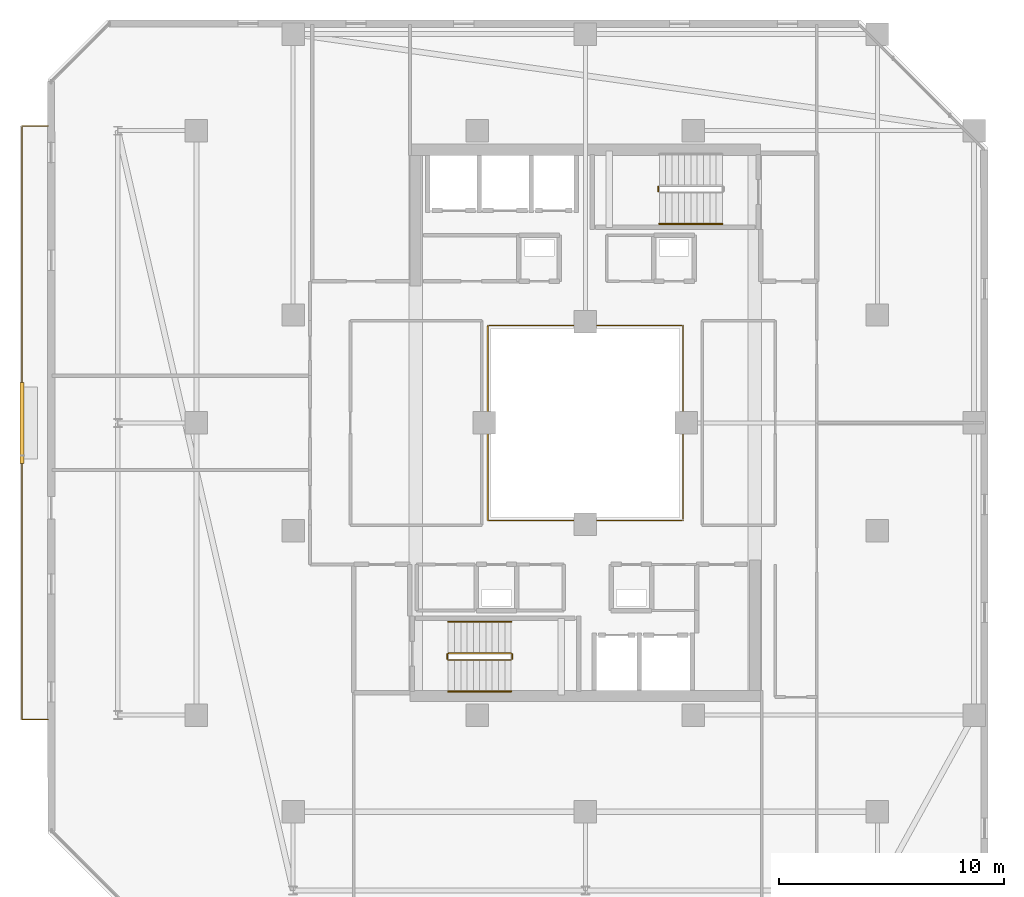
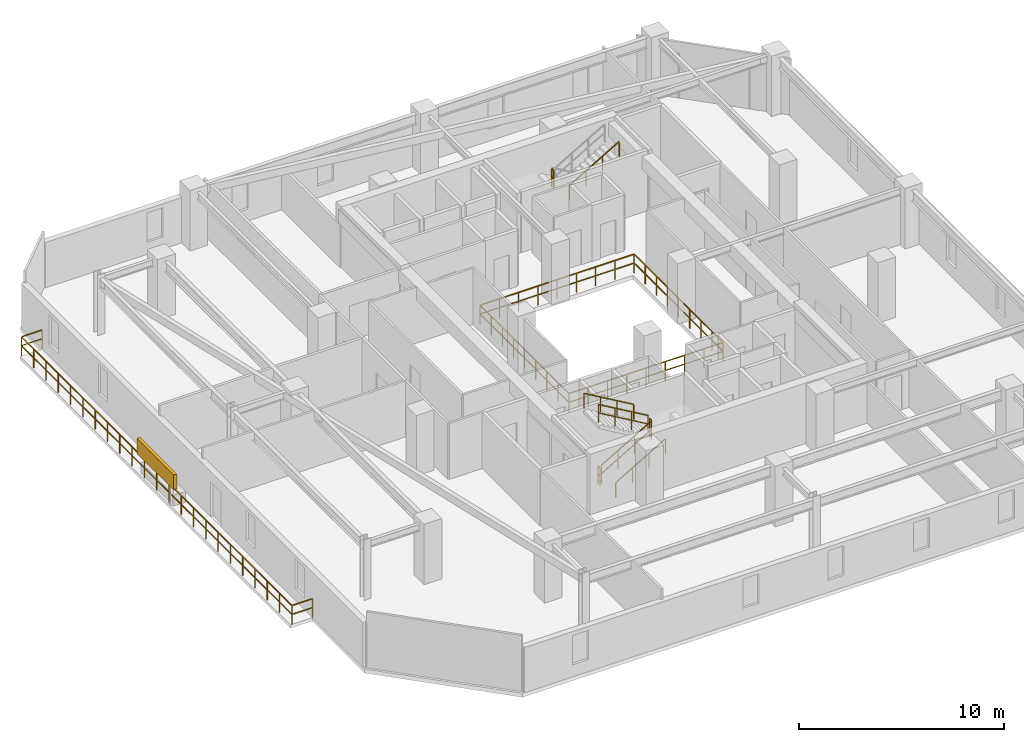
# One storey, part 28 of 31: 10 railings, 1 shading device.
"""IFC4 building model written with IfcOpenShell, lengths in metres."""

from ifc_helpers import new_model, si_unit, direction, frame, origin, origin_2d, place, context, subcontext, project, spatial, rectangle, extrude, material, type_object, element, save


model = new_model("IFC4")

# Units and contexts
model_context = context("Model", 3, precision=1e-05, world=origin(), true_north=direction((0.0, 1.0)))
body_context = subcontext(model_context, "Body", "Model", "MODEL_VIEW")
ifc_project = project(units=[si_unit("LENGTHUNIT", "METRE"), si_unit("AREAUNIT", "SQUARE_METRE"), si_unit("VOLUMEUNIT", "CUBIC_METRE"), si_unit("PLANEANGLEUNIT", "RADIAN"), si_unit("MASSUNIT", "GRAM", prefix="KILO")], contexts=[model_context])

# Site, building, storey
site_placement = place(None, origin())
site = spatial("IfcSite", under=ifc_project, at=site_placement, CompositionType="ELEMENT")
building_placement = place(site_placement, origin())
building = spatial("IfcBuilding", under=site, at=building_placement, Name="Thornwick Lancets Civic Towers", CompositionType="ELEMENT")
storey_placement = place(building_placement, frame((0.0, 0.0, 236.699951171875)))
storey = spatial("IfcBuildingStorey", under=building, at=storey_placement, Name="L63", CompositionType="ELEMENT", Elevation=236.699951171875)

# Railings
ifc_material_1 = material(Name="Laminated glass and bronze steel S355", Category="steel")
railing_type_1 = type_object("IfcRailingType", Name="RAIL_ATRIUM_GUARD", PredefinedType="BALUSTRADE", material=ifc_material_1)
railing_1_placement = place(storey_placement, frame((21.159912109375, 22.659912109375, 0.0)))
element("IfcRailing", 1, at=railing_1_placement, inside=storey, type_object=railing_type_1, Name="L63 Tower A Central Atrium Guard Balustrade", PredefinedType="BALUSTRADE", context=body_context, shape_type="SweptSolid", body=[
    extrude(rectangle(XDim=0.048095703125, YDim=0.048095703125, at=origin_2d()), frame((0.0, 0.0, 1.1259765625), z_axis=(1.0, 0.0, 0.0), x_axis=(0.0, 1.0, 0.0)), (0.0, 0.0, 1.0), 8.64892578125),
    extrude(rectangle(XDim=0.0419921875, YDim=0.0419921875, at=origin_2d()), frame((0.03759765625, 0.0, 0.597900390625), z_axis=(1.0, 0.0, 0.0), x_axis=(0.0, 1.0, 0.0)), (0.0, 0.0, 1.0), 1.010009765625),
    extrude(rectangle(XDim=0.0419921875, YDim=0.0419921875, at=origin_2d()), frame((1.12255859375, 0.0, 0.597900390625), z_axis=(1.0, 0.0, 0.0), x_axis=(0.0, 1.0, 0.0)), (0.0, 0.0, 1.0), 1.010009765625),
    extrude(rectangle(XDim=0.0419921875, YDim=0.0419921875, at=origin_2d()), frame((2.20751953125, 0.0, 0.597900390625), z_axis=(1.0, 0.0, 0.0), x_axis=(0.0, 1.0, 0.0)), (0.0, 0.0, 1.0), 1.010009765625),
    extrude(rectangle(XDim=0.0419921875, YDim=0.0419921875, at=origin_2d()), frame((3.29248046875, 0.0, 0.597900390625), z_axis=(1.0, 0.0, 0.0), x_axis=(0.0, 1.0, 0.0)), (0.0, 0.0, 1.0), 1.010009765625),
    extrude(rectangle(XDim=0.0419921875, YDim=0.0419921875, at=origin_2d()), frame((4.377685546875, 0.0, 0.597900390625), z_axis=(1.0, 0.0, 0.0), x_axis=(0.0, 1.0, 0.0)), (0.0, 0.0, 1.0), 1.010009765625),
    extrude(rectangle(XDim=0.0419921875, YDim=0.0419921875, at=origin_2d()), frame((5.462646484375, 0.0, 0.597900390625), z_axis=(1.0, 0.0, 0.0), x_axis=(0.0, 1.0, 0.0)), (0.0, 0.0, 1.0), 1.010009765625),
    extrude(rectangle(XDim=0.0419921875, YDim=0.0419921875, at=origin_2d()), frame((6.547607421875, 0.0, 0.597900390625), z_axis=(1.0, 0.0, 0.0), x_axis=(0.0, 1.0, 0.0)), (0.0, 0.0, 1.0), 1.010009765625),
    extrude(rectangle(XDim=0.0419921875, YDim=0.0419921875, at=origin_2d()), frame((7.632568359375, 0.0, 0.597900390625), z_axis=(1.0, 0.0, 0.0), x_axis=(0.0, 1.0, 0.0)), (0.0, 0.0, 1.0), 1.010009765625),
    extrude(rectangle(XDim=0.048095703125, YDim=0.048095703125, at=origin_2d()), frame((8.68017578125, 0.03125, 1.1259765625), z_axis=(0.0, 1.0, 0.0), x_axis=(-1.0, 0.0, 0.0)), (0.0, 0.0, 1.0), 8.61767578125),
    extrude(rectangle(XDim=0.0419921875, YDim=0.0419921875, at=origin_2d()), frame((8.68017578125, 0.03759765625, 0.597900390625), z_axis=(0.0, 1.0, 0.0), x_axis=(-1.0, 0.0, 0.0)), (0.0, 0.0, 1.0), 1.010009765625),
    extrude(rectangle(XDim=0.0419921875, YDim=0.0419921875, at=origin_2d()), frame((8.68017578125, 1.12255859375, 0.597900390625), z_axis=(0.0, 1.0, 0.0), x_axis=(-1.0, 0.0, 0.0)), (0.0, 0.0, 1.0), 1.010009765625),
    extrude(rectangle(XDim=0.0419921875, YDim=0.0419921875, at=origin_2d()), frame((8.68017578125, 2.20751953125, 0.597900390625), z_axis=(0.0, 1.0, 0.0), x_axis=(-1.0, 0.0, 0.0)), (0.0, 0.0, 1.0), 1.010009765625),
    extrude(rectangle(XDim=0.0419921875, YDim=0.0419921875, at=origin_2d()), frame((8.68017578125, 3.29248046875, 0.597900390625), z_axis=(0.0, 1.0, 0.0), x_axis=(-1.0, 0.0, 0.0)), (0.0, 0.0, 1.0), 1.010009765625),
    extrude(rectangle(XDim=0.0419921875, YDim=0.0419921875, at=origin_2d()), frame((8.68017578125, 4.377685546875, 0.597900390625), z_axis=(0.0, 1.0, 0.0), x_axis=(-1.0, 0.0, 0.0)), (0.0, 0.0, 1.0), 1.010009765625),
    extrude(rectangle(XDim=0.0419921875, YDim=0.0419921875, at=origin_2d()), frame((8.68017578125, 5.462646484375, 0.597900390625), z_axis=(0.0, 1.0, 0.0), x_axis=(-1.0, 0.0, 0.0)), (0.0, 0.0, 1.0), 1.010009765625),
    extrude(rectangle(XDim=0.0419921875, YDim=0.0419921875, at=origin_2d()), frame((8.68017578125, 6.547607421875, 0.597900390625), z_axis=(0.0, 1.0, 0.0), x_axis=(-1.0, 0.0, 0.0)), (0.0, 0.0, 1.0), 1.010009765625),
    extrude(rectangle(XDim=0.0419921875, YDim=0.0419921875, at=origin_2d()), frame((8.68017578125, 7.632568359375, 0.597900390625), z_axis=(0.0, 1.0, 0.0), x_axis=(-1.0, 0.0, 0.0)), (0.0, 0.0, 1.0), 1.010009765625),
    extrude(rectangle(XDim=0.048095703125, YDim=0.048095703125, at=origin_2d()), frame((8.64892578125, 8.68017578125, 1.1259765625), z_axis=(-1.0, 0.0, 0.0), x_axis=(0.0, -1.0, 0.0)), (0.0, 0.0, 1.0), 8.61767578125),
    extrude(rectangle(XDim=0.0419921875, YDim=0.0419921875, at=origin_2d()), frame((8.642578125, 8.68017578125, 0.597900390625), z_axis=(-1.0, 0.0, 0.0), x_axis=(0.0, -1.0, 0.0)), (0.0, 0.0, 1.0), 1.010009765625),
    extrude(rectangle(XDim=0.0419921875, YDim=0.0419921875, at=origin_2d()), frame((7.5576171875, 8.68017578125, 0.597900390625), z_axis=(-1.0, 0.0, 0.0), x_axis=(0.0, -1.0, 0.0)), (0.0, 0.0, 1.0), 1.010009765625),
    extrude(rectangle(XDim=0.0419921875, YDim=0.0419921875, at=origin_2d()), frame((6.47265625, 8.68017578125, 0.597900390625), z_axis=(-1.0, 0.0, 0.0), x_axis=(0.0, -1.0, 0.0)), (0.0, 0.0, 1.0), 1.010009765625),
    extrude(rectangle(XDim=0.0419921875, YDim=0.0419921875, at=origin_2d()), frame((5.3876953125, 8.68017578125, 0.597900390625), z_axis=(-1.0, 0.0, 0.0), x_axis=(0.0, -1.0, 0.0)), (0.0, 0.0, 1.0), 1.010009765625),
    extrude(rectangle(XDim=0.0419921875, YDim=0.0419921875, at=origin_2d()), frame((4.302490234375, 8.68017578125, 0.597900390625), z_axis=(-1.0, 0.0, 0.0), x_axis=(0.0, -1.0, 0.0)), (0.0, 0.0, 1.0), 1.010009765625),
    extrude(rectangle(XDim=0.0419921875, YDim=0.0419921875, at=origin_2d()), frame((3.217529296875, 8.68017578125, 0.597900390625), z_axis=(-1.0, 0.0, 0.0), x_axis=(0.0, -1.0, 0.0)), (0.0, 0.0, 1.0), 1.010009765625),
    extrude(rectangle(XDim=0.0419921875, YDim=0.0419921875, at=origin_2d()), frame((2.132568359375, 8.68017578125, 0.597900390625), z_axis=(-1.0, 0.0, 0.0), x_axis=(0.0, -1.0, 0.0)), (0.0, 0.0, 1.0), 1.010009765625),
    extrude(rectangle(XDim=0.0419921875, YDim=0.0419921875, at=origin_2d()), frame((1.047607421875, 8.68017578125, 0.597900390625), z_axis=(-1.0, 0.0, 0.0), x_axis=(0.0, -1.0, 0.0)), (0.0, 0.0, 1.0), 1.010009765625),
    extrude(rectangle(XDim=0.048095703125, YDim=0.048095703125, at=origin_2d()), frame((0.0, 8.64892578125, 1.1259765625), z_axis=(0.0, -1.0, 0.0), x_axis=(1.0, 0.0, 0.0)), (0.0, 0.0, 1.0), 8.64892578125),
    extrude(rectangle(XDim=0.0419921875, YDim=0.0419921875, at=origin_2d()), frame((0.0, 8.642578125, 0.597900390625), z_axis=(0.0, -1.0, 0.0), x_axis=(1.0, 0.0, 0.0)), (0.0, 0.0, 1.0), 1.010009765625),
    extrude(rectangle(XDim=0.0419921875, YDim=0.0419921875, at=origin_2d()), frame((0.0, 7.5576171875, 0.597900390625), z_axis=(0.0, -1.0, 0.0), x_axis=(1.0, 0.0, 0.0)), (0.0, 0.0, 1.0), 1.010009765625),
    extrude(rectangle(XDim=0.0419921875, YDim=0.0419921875, at=origin_2d()), frame((0.0, 6.47265625, 0.597900390625), z_axis=(0.0, -1.0, 0.0), x_axis=(1.0, 0.0, 0.0)), (0.0, 0.0, 1.0), 1.010009765625),
    extrude(rectangle(XDim=0.0419921875, YDim=0.0419921875, at=origin_2d()), frame((0.0, 5.3876953125, 0.597900390625), z_axis=(0.0, -1.0, 0.0), x_axis=(1.0, 0.0, 0.0)), (0.0, 0.0, 1.0), 1.010009765625),
    extrude(rectangle(XDim=0.0419921875, YDim=0.0419921875, at=origin_2d()), frame((0.0, 4.302490234375, 0.597900390625), z_axis=(0.0, -1.0, 0.0), x_axis=(1.0, 0.0, 0.0)), (0.0, 0.0, 1.0), 1.010009765625),
    extrude(rectangle(XDim=0.0419921875, YDim=0.0419921875, at=origin_2d()), frame((0.0, 3.217529296875, 0.597900390625), z_axis=(0.0, -1.0, 0.0), x_axis=(1.0, 0.0, 0.0)), (0.0, 0.0, 1.0), 1.010009765625),
    extrude(rectangle(XDim=0.0419921875, YDim=0.0419921875, at=origin_2d()), frame((0.0, 2.132568359375, 0.597900390625), z_axis=(0.0, -1.0, 0.0), x_axis=(1.0, 0.0, 0.0)), (0.0, 0.0, 1.0), 1.010009765625),
    extrude(rectangle(XDim=0.0419921875, YDim=0.0419921875, at=origin_2d()), frame((0.0, 1.047607421875, 0.597900390625), z_axis=(0.0, -1.0, 0.0), x_axis=(1.0, 0.0, 0.0)), (0.0, 0.0, 1.0), 1.010009765625),
    extrude(rectangle(XDim=0.0419921875, YDim=0.0419921875, at=origin_2d()), origin(), (0.0, 0.0, 1.0), 1.095703125),
    extrude(rectangle(XDim=0.0419921875, YDim=0.0419921875, at=origin_2d()), frame((1.0849609375, 0.0, 0.0)), (0.0, 0.0, 1.0), 1.095703125),
    extrude(rectangle(XDim=0.0419921875, YDim=0.0419921875, at=origin_2d()), frame((2.169921875, 0.0, 0.0)), (0.0, 0.0, 1.0), 1.095703125),
    extrude(rectangle(XDim=0.0419921875, YDim=0.0419921875, at=origin_2d()), frame((3.255126953125, 0.0, 0.0)), (0.0, 0.0, 1.0), 1.095703125),
    extrude(rectangle(XDim=0.0419921875, YDim=0.0419921875, at=origin_2d()), frame((4.340087890625, 0.0, 0.0)), (0.0, 0.0, 1.0), 1.095703125),
    extrude(rectangle(XDim=0.0419921875, YDim=0.0419921875, at=origin_2d()), frame((5.425048828125, 0.0, 0.0)), (0.0, 0.0, 1.0), 1.095703125),
    extrude(rectangle(XDim=0.0419921875, YDim=0.0419921875, at=origin_2d()), frame((6.51025390625, 0.0, 0.0)), (0.0, 0.0, 1.0), 1.095703125),
    extrude(rectangle(XDim=0.0419921875, YDim=0.0419921875, at=origin_2d()), frame((7.59521484375, 0.0, 0.0)), (0.0, 0.0, 1.0), 1.095703125),
    extrude(rectangle(XDim=0.0419921875, YDim=0.0419921875, at=origin_2d()), frame((8.68017578125, 0.0, 0.0)), (0.0, 0.0, 1.0), 1.095703125),
    extrude(rectangle(XDim=0.0419921875, YDim=0.0419921875, at=origin_2d()), frame((8.68017578125, 1.0849609375, 0.0)), (0.0, 0.0, 1.0), 1.095703125),
    extrude(rectangle(XDim=0.0419921875, YDim=0.0419921875, at=origin_2d()), frame((8.68017578125, 2.169921875, 0.0)), (0.0, 0.0, 1.0), 1.095703125),
    extrude(rectangle(XDim=0.0419921875, YDim=0.0419921875, at=origin_2d()), frame((8.68017578125, 3.255126953125, 0.0)), (0.0, 0.0, 1.0), 1.095703125),
    extrude(rectangle(XDim=0.0419921875, YDim=0.0419921875, at=origin_2d()), frame((8.68017578125, 4.340087890625, 0.0)), (0.0, 0.0, 1.0), 1.095703125),
    extrude(rectangle(XDim=0.0419921875, YDim=0.0419921875, at=origin_2d()), frame((8.68017578125, 5.425048828125, 0.0)), (0.0, 0.0, 1.0), 1.095703125),
    extrude(rectangle(XDim=0.0419921875, YDim=0.0419921875, at=origin_2d()), frame((8.68017578125, 6.51025390625, 0.0)), (0.0, 0.0, 1.0), 1.095703125),
    extrude(rectangle(XDim=0.0419921875, YDim=0.0419921875, at=origin_2d()), frame((8.68017578125, 7.59521484375, 0.0)), (0.0, 0.0, 1.0), 1.095703125),
    extrude(rectangle(XDim=0.0419921875, YDim=0.0419921875, at=origin_2d()), frame((8.68017578125, 8.68017578125, 0.0)), (0.0, 0.0, 1.0), 1.095703125),
    extrude(rectangle(XDim=0.0419921875, YDim=0.0419921875, at=origin_2d()), frame((7.59521484375, 8.68017578125, 0.0)), (0.0, 0.0, 1.0), 1.095703125),
    extrude(rectangle(XDim=0.0419921875, YDim=0.0419921875, at=origin_2d()), frame((6.51025390625, 8.68017578125, 0.0)), (0.0, 0.0, 1.0), 1.095703125),
    extrude(rectangle(XDim=0.0419921875, YDim=0.0419921875, at=origin_2d()), frame((5.425048828125, 8.68017578125, 0.0)), (0.0, 0.0, 1.0), 1.095703125),
    extrude(rectangle(XDim=0.0419921875, YDim=0.0419921875, at=origin_2d()), frame((4.340087890625, 8.68017578125, 0.0)), (0.0, 0.0, 1.0), 1.095703125),
    extrude(rectangle(XDim=0.0419921875, YDim=0.0419921875, at=origin_2d()), frame((3.255126953125, 8.68017578125, 0.0)), (0.0, 0.0, 1.0), 1.095703125),
    extrude(rectangle(XDim=0.0419921875, YDim=0.0419921875, at=origin_2d()), frame((2.169921875, 8.68017578125, 0.0)), (0.0, 0.0, 1.0), 1.095703125),
    extrude(rectangle(XDim=0.0419921875, YDim=0.0419921875, at=origin_2d()), frame((1.0849609375, 8.68017578125, 0.0)), (0.0, 0.0, 1.0), 1.095703125),
    extrude(rectangle(XDim=0.0419921875, YDim=0.0419921875, at=origin_2d()), frame((0.0, 8.68017578125, 0.0)), (0.0, 0.0, 1.0), 1.095703125),
    extrude(rectangle(XDim=0.0419921875, YDim=0.0419921875, at=origin_2d()), frame((0.0, 7.59521484375, 0.0)), (0.0, 0.0, 1.0), 1.095703125),
    extrude(rectangle(XDim=0.0419921875, YDim=0.0419921875, at=origin_2d()), frame((0.0, 6.51025390625, 0.0)), (0.0, 0.0, 1.0), 1.095703125),
    extrude(rectangle(XDim=0.0419921875, YDim=0.0419921875, at=origin_2d()), frame((0.0, 5.425048828125, 0.0)), (0.0, 0.0, 1.0), 1.095703125),
    extrude(rectangle(XDim=0.0419921875, YDim=0.0419921875, at=origin_2d()), frame((0.0, 4.340087890625, 0.0)), (0.0, 0.0, 1.0), 1.095703125),
    extrude(rectangle(XDim=0.0419921875, YDim=0.0419921875, at=origin_2d()), frame((0.0, 3.255126953125, 0.0)), (0.0, 0.0, 1.0), 1.095703125),
    extrude(rectangle(XDim=0.0419921875, YDim=0.0419921875, at=origin_2d()), frame((0.0, 2.169921875, 0.0)), (0.0, 0.0, 1.0), 1.095703125),
    extrude(rectangle(XDim=0.0419921875, YDim=0.0419921875, at=origin_2d()), frame((0.0, 1.0849609375, 0.0)), (0.0, 0.0, 1.0), 1.095703125),
])
ifc_material_2 = material(Name="Brushed stainless steel S355", Category="steel")
railing_type_2 = type_object("IfcRailingType", Name="RAIL_HANDRAIL", PredefinedType="HANDRAIL", material=ifc_material_2)
railing_2_placement = place(storey_placement, frame((19.39990234375, 15.050048828125, 0.16357421875)))
element("IfcRailing", 2, at=railing_2_placement, inside=storey, type_object=railing_type_2, Name="L63 ST-A1 stair handrail 1", PredefinedType="HANDRAIL", context=body_context, shape_type="SweptSolid", body=[
    extrude(rectangle(XDim=0.048095703125, YDim=0.048095703125, at=origin_2d()), frame((0.0, 0.0, 0.8857421875), z_axis=(0.863360870873, 0.0, 0.504586966384), x_axis=(0.0, 1.0, 0.0)), (0.0, 0.0, 1.0), 3.2431640625),
    extrude(rectangle(XDim=0.0419921875, YDim=0.0419921875, at=origin_2d()), origin(), (0.0, 0.0, 1.0), 0.855712890625),
    extrude(rectangle(XDim=0.0419921875, YDim=0.0419921875, at=origin_2d()), frame((0.933349609375, 0.0, 0.54541015625)), (0.0, 0.0, 1.0), 0.855712890625),
    extrude(rectangle(XDim=0.0419921875, YDim=0.0419921875, at=origin_2d()), frame((1.86669921875, 0.0, 1.091064453125)), (0.0, 0.0, 1.0), 0.855712890625),
    extrude(rectangle(XDim=0.0419921875, YDim=0.0419921875, at=origin_2d()), frame((2.800048828125, 0.0, 1.636474609375)), (0.0, 0.0, 1.0), 0.855712890625),
])
railing_3_placement = place(storey_placement, frame((22.199951171875, 18.14990234375, 1.963623046875)))
element("IfcRailing", 3, at=railing_3_placement, inside=storey, type_object=railing_type_2, Name="L63 ST-A1 stair handrail 2", PredefinedType="HANDRAIL", context=body_context, shape_type="SweptSolid", body=[
    extrude(rectangle(XDim=0.048095703125, YDim=0.048095703125, at=origin_2d()), frame((0.0, 0.0, 0.8857421875), z_axis=(-0.863360870873, 0.0, 0.504586966384), x_axis=(0.0, -1.0, 0.0)), (0.0, 0.0, 1.0), 3.2431640625),
    extrude(rectangle(XDim=0.0419921875, YDim=0.0419921875, at=origin_2d()), origin(), (0.0, 0.0, 1.0), 0.855712890625),
    extrude(rectangle(XDim=0.0419921875, YDim=0.0419921875, at=origin_2d()), frame((-0.933349609375, 0.0, 0.54541015625)), (0.0, 0.0, 1.0), 0.855712890625),
    extrude(rectangle(XDim=0.0419921875, YDim=0.0419921875, at=origin_2d()), frame((-1.86669921875, 0.0, 1.091064453125)), (0.0, 0.0, 1.0), 0.855712890625),
    extrude(rectangle(XDim=0.0419921875, YDim=0.0419921875, at=origin_2d()), frame((-2.800048828125, 0.0, 1.636474609375)), (0.0, 0.0, 1.0), 0.855712890625),
])
railing_4_placement = place(storey_placement, frame((28.800048828125, 35.85009765625, 1.963623046875)))
element("IfcRailing", 4, at=railing_4_placement, inside=storey, type_object=railing_type_2, Name="L63 ST-A2 stair handrail 2", PredefinedType="HANDRAIL", context=body_context, shape_type="SweptSolid", body=[
    extrude(rectangle(XDim=0.048095703125, YDim=0.048095703125, at=origin_2d()), frame((0.0, 0.0, 0.8857421875), z_axis=(0.863360870873, 0.0, 0.504586966384), x_axis=(0.0, 1.0, 0.0)), (0.0, 0.0, 1.0), 3.2431640625),
    extrude(rectangle(XDim=0.0419921875, YDim=0.0419921875, at=origin_2d()), origin(), (0.0, 0.0, 1.0), 0.855712890625),
    extrude(rectangle(XDim=0.0419921875, YDim=0.0419921875, at=origin_2d()), frame((0.933349609375, 0.0, 0.54541015625)), (0.0, 0.0, 1.0), 0.855712890625),
    extrude(rectangle(XDim=0.0419921875, YDim=0.0419921875, at=origin_2d()), frame((1.86669921875, 0.0, 1.091064453125)), (0.0, 0.0, 1.0), 0.855712890625),
    extrude(rectangle(XDim=0.0419921875, YDim=0.0419921875, at=origin_2d()), frame((2.800048828125, 0.0, 1.636474609375)), (0.0, 0.0, 1.0), 0.855712890625),
])
ifc_material_3 = material(Name="Steel S355JR", Category="steel")
railing_type_3 = type_object("IfcRailingType", Name="RAIL_STAIR_GUARD", PredefinedType="GUARDRAIL", material=ifc_material_3)
railing_5_placement = place(storey_placement, frame((19.39990234375, 16.449951171875, 0.16357421875)))
element("IfcRailing", 5, at=railing_5_placement, inside=storey, type_object=railing_type_3, Name="L63 ST-A1 stair guard 1", PredefinedType="GUARDRAIL", context=body_context, shape_type="SweptSolid", body=[
    extrude(rectangle(XDim=0.048095703125, YDim=0.048095703125, at=origin_2d()), frame((0.0, 0.0, 1.076171875), z_axis=(0.863360870873, 0.0, 0.504586966384), x_axis=(0.0, 1.0, 0.0)), (0.0, 0.0, 1.0), 3.2431640625),
    extrude(rectangle(XDim=0.0419921875, YDim=0.0419921875, at=origin_2d()), frame((0.032470703125, 0.0, 0.591064453125), z_axis=(0.863360870873, 0.0, 0.504586966384), x_axis=(0.0, 1.0, 0.0)), (0.0, 0.0, 1.0), 1.006103515625),
    extrude(rectangle(XDim=0.0419921875, YDim=0.0419921875, at=origin_2d()), frame((0.9658203125, 0.0, 1.136474609375), z_axis=(0.863360870873, 0.0, 0.504586966384), x_axis=(0.0, 1.0, 0.0)), (0.0, 0.0, 1.0), 1.006103515625),
    extrude(rectangle(XDim=0.0419921875, YDim=0.0419921875, at=origin_2d()), frame((1.899169921875, 0.0, 1.681884765625), z_axis=(0.863360870873, 0.0, 0.504586966384), x_axis=(0.0, 1.0, 0.0)), (0.0, 0.0, 1.0), 1.006103515625),
    extrude(rectangle(XDim=0.0419921875, YDim=0.0419921875, at=origin_2d()), origin(), (0.0, 0.0, 1.0), 1.0458984375),
    extrude(rectangle(XDim=0.0419921875, YDim=0.0419921875, at=origin_2d()), frame((0.933349609375, 0.0, 0.54541015625)), (0.0, 0.0, 1.0), 1.0458984375),
    extrude(rectangle(XDim=0.0419921875, YDim=0.0419921875, at=origin_2d()), frame((1.86669921875, 0.0, 1.091064453125)), (0.0, 0.0, 1.0), 1.0458984375),
    extrude(rectangle(XDim=0.0419921875, YDim=0.0419921875, at=origin_2d()), frame((2.800048828125, 0.0, 1.636474609375)), (0.0, 0.0, 1.0), 1.0458984375),
])
railing_6_placement = place(storey_placement, frame((22.25, 16.5, 1.800048828125)))
element("IfcRailing", 6, at=railing_6_placement, inside=storey, type_object=railing_type_3, Name="L63 ST-A1 stair guard 2", PredefinedType="GUARDRAIL", context=body_context, shape_type="SweptSolid", body=[
    extrude(rectangle(XDim=0.048095703125, YDim=0.048095703125, at=origin_2d()), frame((0.0, 0.0, 1.076171875), z_axis=(0.0, 1.0, 0.0), x_axis=(-1.0, 0.0, 0.0)), (0.0, 0.0, 1.0), 0.199951171875),
    extrude(rectangle(XDim=0.0419921875, YDim=0.0419921875, at=origin_2d()), frame((0.0, 0.03759765625, 0.572021484375), z_axis=(0.0, 1.0, 0.0), x_axis=(-1.0, 0.0, 0.0)), (0.0, 0.0, 1.0), 0.125),
    extrude(rectangle(XDim=0.0419921875, YDim=0.0419921875, at=origin_2d()), origin(), (0.0, 0.0, 1.0), 1.0458984375),
    extrude(rectangle(XDim=0.0419921875, YDim=0.0419921875, at=origin_2d()), frame((0.0, 0.199951171875, 0.0)), (0.0, 0.0, 1.0), 1.0458984375),
])
railing_7_placement = place(storey_placement, frame((22.199951171875, 16.75, 1.963623046875)))
element("IfcRailing", 7, at=railing_7_placement, inside=storey, type_object=railing_type_3, Name="L63 ST-A1 stair guard 3", PredefinedType="GUARDRAIL", context=body_context, shape_type="SweptSolid", body=[
    extrude(rectangle(XDim=0.048095703125, YDim=0.048095703125, at=origin_2d()), frame((0.0, 0.0, 1.076171875), z_axis=(-0.863360870873, 0.0, 0.504586966384), x_axis=(0.0, -1.0, 0.0)), (0.0, 0.0, 1.0), 3.2431640625),
    extrude(rectangle(XDim=0.0419921875, YDim=0.0419921875, at=origin_2d()), frame((-0.032470703125, 0.0, 0.591064453125), z_axis=(-0.863360870873, 0.0, 0.504586966384), x_axis=(0.0, -1.0, 0.0)), (0.0, 0.0, 1.0), 1.006103515625),
    extrude(rectangle(XDim=0.0419921875, YDim=0.0419921875, at=origin_2d()), frame((-0.9658203125, 0.0, 1.136474609375), z_axis=(-0.863360870873, 0.0, 0.504586966384), x_axis=(0.0, -1.0, 0.0)), (0.0, 0.0, 1.0), 1.006103515625),
    extrude(rectangle(XDim=0.0419921875, YDim=0.0419921875, at=origin_2d()), frame((-1.899169921875, 0.0, 1.681884765625), z_axis=(-0.863360870873, 0.0, 0.504586966384), x_axis=(0.0, -1.0, 0.0)), (0.0, 0.0, 1.0), 1.006103515625),
    extrude(rectangle(XDim=0.0419921875, YDim=0.0419921875, at=origin_2d()), origin(), (0.0, 0.0, 1.0), 1.0458984375),
    extrude(rectangle(XDim=0.0419921875, YDim=0.0419921875, at=origin_2d()), frame((-0.933349609375, 0.0, 0.54541015625)), (0.0, 0.0, 1.0), 1.0458984375),
    extrude(rectangle(XDim=0.0419921875, YDim=0.0419921875, at=origin_2d()), frame((-1.86669921875, 0.0, 1.091064453125)), (0.0, 0.0, 1.0), 1.0458984375),
    extrude(rectangle(XDim=0.0419921875, YDim=0.0419921875, at=origin_2d()), frame((-2.800048828125, 0.0, 1.636474609375)), (0.0, 0.0, 1.0), 1.0458984375),
])
railing_8_placement = place(storey_placement, frame((19.35009765625, 16.5, 0.0)))
element("IfcRailing", 8, at=railing_8_placement, inside=storey, type_object=railing_type_3, Name="L63 ST-A1 stair guard 4", PredefinedType="GUARDRAIL", context=body_context, shape_type="SweptSolid", body=[
    extrude(rectangle(XDim=0.048095703125, YDim=0.048095703125, at=origin_2d()), frame((0.0, 0.0, 1.076171875), z_axis=(0.0, 1.0, 0.0), x_axis=(-1.0, 0.0, 0.0)), (0.0, 0.0, 1.0), 0.199951171875),
    extrude(rectangle(XDim=0.0419921875, YDim=0.0419921875, at=origin_2d()), frame((0.0, 0.03759765625, 0.572021484375), z_axis=(0.0, 1.0, 0.0), x_axis=(-1.0, 0.0, 0.0)), (0.0, 0.0, 1.0), 0.125),
    extrude(rectangle(XDim=0.0419921875, YDim=0.0419921875, at=origin_2d()), origin(), (0.0, 0.0, 1.0), 1.0458984375),
    extrude(rectangle(XDim=0.0419921875, YDim=0.0419921875, at=origin_2d()), frame((0.0, 0.199951171875, 0.0)), (0.0, 0.0, 1.0), 1.0458984375),
])
railing_9_placement = place(storey_placement, frame((28.75, 37.5, 1.800048828125)))
element("IfcRailing", 9, at=railing_9_placement, inside=storey, type_object=railing_type_3, Name="L63 ST-A2 stair guard 2", PredefinedType="GUARDRAIL", context=body_context, shape_type="SweptSolid", body=[
    extrude(rectangle(XDim=0.048095703125, YDim=0.048095703125, at=origin_2d()), frame((0.0, 0.0, 1.076171875), z_axis=(0.0, -1.0, 0.0), x_axis=(1.0, 0.0, 0.0)), (0.0, 0.0, 1.0), 0.199951171875),
    extrude(rectangle(XDim=0.0419921875, YDim=0.0419921875, at=origin_2d()), frame((0.0, -0.03759765625, 0.572021484375), z_axis=(0.0, -1.0, 0.0), x_axis=(1.0, 0.0, 0.0)), (0.0, 0.0, 1.0), 0.125),
    extrude(rectangle(XDim=0.0419921875, YDim=0.0419921875, at=origin_2d()), origin(), (0.0, 0.0, 1.0), 1.0458984375),
    extrude(rectangle(XDim=0.0419921875, YDim=0.0419921875, at=origin_2d()), frame((0.0, -0.199951171875, 0.0)), (0.0, 0.0, 1.0), 1.0458984375),
])
ifc_material_4 = material(Name="Terracotta-capped laminated glass balustrade S355", Category="masonry")
railing_type_4 = type_object("IfcRailingType", Name="RAIL_TERR_GUARD", PredefinedType="GUARDRAIL", material=ifc_material_4)
railing_10_placement = place(storey_placement, frame((1.60009765625, 13.800048828125, 0.0)))
element("IfcRailing", 10, at=railing_10_placement, inside=storey, type_object=railing_type_4, Name="L63 Tower A Balcony Guard W", PredefinedType="GUARDRAIL", context=body_context, shape_type="SweptSolid", body=[
    extrude(rectangle(XDim=0.048095703125, YDim=0.048095703125, at=origin_2d()), frame((0.0, 0.0, 1.1259765625), z_axis=(-1.0, 0.0, 0.0), x_axis=(0.0, -1.0, 0.0)), (0.0, 0.0, 1.0), 1.138916015625),
    extrude(rectangle(XDim=0.0419921875, YDim=0.0419921875, at=origin_2d()), frame((-0.03759765625, 0.0, 0.597900390625), z_axis=(-1.0, 0.0, 0.0), x_axis=(0.0, -1.0, 0.0)), (0.0, 0.0, 1.0), 1.09521484375),
    extrude(rectangle(XDim=0.048095703125, YDim=0.048095703125, at=origin_2d()), frame((-1.170166015625, 0.03125, 1.1259765625), z_axis=(0.0, 1.0, 0.0), x_axis=(-1.0, 0.0, 0.0)), (0.0, 0.0, 1.0), 26.33740234375),
    extrude(rectangle(XDim=0.0419921875, YDim=0.0419921875, at=origin_2d()), frame((-1.170166015625, 0.03759765625, 0.597900390625), z_axis=(0.0, 1.0, 0.0), x_axis=(-1.0, 0.0, 0.0)), (0.0, 0.0, 1.0), 1.125),
    extrude(rectangle(XDim=0.0419921875, YDim=0.0419921875, at=origin_2d()), frame((-1.170166015625, 1.237548828125, 0.597900390625), z_axis=(0.0, 1.0, 0.0), x_axis=(-1.0, 0.0, 0.0)), (0.0, 0.0, 1.0), 1.125),
    extrude(rectangle(XDim=0.0419921875, YDim=0.0419921875, at=origin_2d()), frame((-1.170166015625, 2.4375, 0.597900390625), z_axis=(0.0, 1.0, 0.0), x_axis=(-1.0, 0.0, 0.0)), (0.0, 0.0, 1.0), 1.125),
    extrude(rectangle(XDim=0.0419921875, YDim=0.0419921875, at=origin_2d()), frame((-1.170166015625, 3.637451171875, 0.597900390625), z_axis=(0.0, 1.0, 0.0), x_axis=(-1.0, 0.0, 0.0)), (0.0, 0.0, 1.0), 1.125),
    extrude(rectangle(XDim=0.0419921875, YDim=0.0419921875, at=origin_2d()), frame((-1.170166015625, 4.83740234375, 0.597900390625), z_axis=(0.0, 1.0, 0.0), x_axis=(-1.0, 0.0, 0.0)), (0.0, 0.0, 1.0), 1.125),
    extrude(rectangle(XDim=0.0419921875, YDim=0.0419921875, at=origin_2d()), frame((-1.170166015625, 6.037353515625, 0.597900390625), z_axis=(0.0, 1.0, 0.0), x_axis=(-1.0, 0.0, 0.0)), (0.0, 0.0, 1.0), 1.125),
    extrude(rectangle(XDim=0.0419921875, YDim=0.0419921875, at=origin_2d()), frame((-1.170166015625, 7.237548828125, 0.597900390625), z_axis=(0.0, 1.0, 0.0), x_axis=(-1.0, 0.0, 0.0)), (0.0, 0.0, 1.0), 1.125),
    extrude(rectangle(XDim=0.0419921875, YDim=0.0419921875, at=origin_2d()), frame((-1.170166015625, 8.4375, 0.597900390625), z_axis=(0.0, 1.0, 0.0), x_axis=(-1.0, 0.0, 0.0)), (0.0, 0.0, 1.0), 1.125),
    extrude(rectangle(XDim=0.0419921875, YDim=0.0419921875, at=origin_2d()), frame((-1.170166015625, 9.637451171875, 0.597900390625), z_axis=(0.0, 1.0, 0.0), x_axis=(-1.0, 0.0, 0.0)), (0.0, 0.0, 1.0), 1.125),
    extrude(rectangle(XDim=0.0419921875, YDim=0.0419921875, at=origin_2d()), frame((-1.170166015625, 10.83740234375, 0.597900390625), z_axis=(0.0, 1.0, 0.0), x_axis=(-1.0, 0.0, 0.0)), (0.0, 0.0, 1.0), 1.125),
    extrude(rectangle(XDim=0.0419921875, YDim=0.0419921875, at=origin_2d()), frame((-1.170166015625, 12.037353515625, 0.597900390625), z_axis=(0.0, 1.0, 0.0), x_axis=(-1.0, 0.0, 0.0)), (0.0, 0.0, 1.0), 1.125),
    extrude(rectangle(XDim=0.0419921875, YDim=0.0419921875, at=origin_2d()), frame((-1.170166015625, 13.237548828125, 0.597900390625), z_axis=(0.0, 1.0, 0.0), x_axis=(-1.0, 0.0, 0.0)), (0.0, 0.0, 1.0), 1.125),
    extrude(rectangle(XDim=0.0419921875, YDim=0.0419921875, at=origin_2d()), frame((-1.170166015625, 14.4375, 0.597900390625), z_axis=(0.0, 1.0, 0.0), x_axis=(-1.0, 0.0, 0.0)), (0.0, 0.0, 1.0), 1.125),
    extrude(rectangle(XDim=0.0419921875, YDim=0.0419921875, at=origin_2d()), frame((-1.170166015625, 15.637451171875, 0.597900390625), z_axis=(0.0, 1.0, 0.0), x_axis=(-1.0, 0.0, 0.0)), (0.0, 0.0, 1.0), 1.125),
    extrude(rectangle(XDim=0.0419921875, YDim=0.0419921875, at=origin_2d()), frame((-1.170166015625, 16.83740234375, 0.597900390625), z_axis=(0.0, 1.0, 0.0), x_axis=(-1.0, 0.0, 0.0)), (0.0, 0.0, 1.0), 1.125),
    extrude(rectangle(XDim=0.0419921875, YDim=0.0419921875, at=origin_2d()), frame((-1.170166015625, 18.037353515625, 0.597900390625), z_axis=(0.0, 1.0, 0.0), x_axis=(-1.0, 0.0, 0.0)), (0.0, 0.0, 1.0), 1.125),
    extrude(rectangle(XDim=0.0419921875, YDim=0.0419921875, at=origin_2d()), frame((-1.170166015625, 19.2373046875, 0.597900390625), z_axis=(0.0, 1.0, 0.0), x_axis=(-1.0, 0.0, 0.0)), (0.0, 0.0, 1.0), 1.125),
    extrude(rectangle(XDim=0.0419921875, YDim=0.0419921875, at=origin_2d()), frame((-1.170166015625, 20.4375, 0.597900390625), z_axis=(0.0, 1.0, 0.0), x_axis=(-1.0, 0.0, 0.0)), (0.0, 0.0, 1.0), 1.125),
    extrude(rectangle(XDim=0.0419921875, YDim=0.0419921875, at=origin_2d()), frame((-1.170166015625, 21.637451171875, 0.597900390625), z_axis=(0.0, 1.0, 0.0), x_axis=(-1.0, 0.0, 0.0)), (0.0, 0.0, 1.0), 1.125),
    extrude(rectangle(XDim=0.0419921875, YDim=0.0419921875, at=origin_2d()), frame((-1.170166015625, 22.83740234375, 0.597900390625), z_axis=(0.0, 1.0, 0.0), x_axis=(-1.0, 0.0, 0.0)), (0.0, 0.0, 1.0), 1.125),
    extrude(rectangle(XDim=0.0419921875, YDim=0.0419921875, at=origin_2d()), frame((-1.170166015625, 24.037353515625, 0.597900390625), z_axis=(0.0, 1.0, 0.0), x_axis=(-1.0, 0.0, 0.0)), (0.0, 0.0, 1.0), 1.125),
    extrude(rectangle(XDim=0.0419921875, YDim=0.0419921875, at=origin_2d()), frame((-1.170166015625, 25.2373046875, 0.597900390625), z_axis=(0.0, 1.0, 0.0), x_axis=(-1.0, 0.0, 0.0)), (0.0, 0.0, 1.0), 1.125),
    extrude(rectangle(XDim=0.048095703125, YDim=0.048095703125, at=origin_2d()), frame((-1.138916015625, 26.39990234375, 1.1259765625), z_axis=(1.0, 0.0, 0.0), x_axis=(0.0, 1.0, 0.0)), (0.0, 0.0, 1.0), 1.138916015625),
    extrude(rectangle(XDim=0.0419921875, YDim=0.0419921875, at=origin_2d()), frame((-1.132568359375, 26.39990234375, 0.597900390625), z_axis=(1.0, 0.0, 0.0), x_axis=(0.0, 1.0, 0.0)), (0.0, 0.0, 1.0), 1.09521484375),
    extrude(rectangle(XDim=0.0419921875, YDim=0.0419921875, at=origin_2d()), origin(), (0.0, 0.0, 1.0), 1.095703125),
    extrude(rectangle(XDim=0.0419921875, YDim=0.0419921875, at=origin_2d()), frame((-1.170166015625, 0.0, 0.0)), (0.0, 0.0, 1.0), 1.095703125),
    extrude(rectangle(XDim=0.0419921875, YDim=0.0419921875, at=origin_2d()), frame((-1.170166015625, 1.199951171875, 0.0)), (0.0, 0.0, 1.0), 1.095703125),
    extrude(rectangle(XDim=0.0419921875, YDim=0.0419921875, at=origin_2d()), frame((-1.170166015625, 2.39990234375, 0.0)), (0.0, 0.0, 1.0), 1.095703125),
    extrude(rectangle(XDim=0.0419921875, YDim=0.0419921875, at=origin_2d()), frame((-1.170166015625, 3.60009765625, 0.0)), (0.0, 0.0, 1.0), 1.095703125),
    extrude(rectangle(XDim=0.0419921875, YDim=0.0419921875, at=origin_2d()), frame((-1.170166015625, 4.800048828125, 0.0)), (0.0, 0.0, 1.0), 1.095703125),
    extrude(rectangle(XDim=0.0419921875, YDim=0.0419921875, at=origin_2d()), frame((-1.170166015625, 6.0, 0.0)), (0.0, 0.0, 1.0), 1.095703125),
    extrude(rectangle(XDim=0.0419921875, YDim=0.0419921875, at=origin_2d()), frame((-1.170166015625, 7.199951171875, 0.0)), (0.0, 0.0, 1.0), 1.095703125),
    extrude(rectangle(XDim=0.0419921875, YDim=0.0419921875, at=origin_2d()), frame((-1.170166015625, 8.39990234375, 0.0)), (0.0, 0.0, 1.0), 1.095703125),
    extrude(rectangle(XDim=0.0419921875, YDim=0.0419921875, at=origin_2d()), frame((-1.170166015625, 9.599853515625, 0.0)), (0.0, 0.0, 1.0), 1.095703125),
    extrude(rectangle(XDim=0.0419921875, YDim=0.0419921875, at=origin_2d()), frame((-1.170166015625, 10.800048828125, 0.0)), (0.0, 0.0, 1.0), 1.095703125),
    extrude(rectangle(XDim=0.0419921875, YDim=0.0419921875, at=origin_2d()), frame((-1.170166015625, 12.0, 0.0)), (0.0, 0.0, 1.0), 1.095703125),
    extrude(rectangle(XDim=0.0419921875, YDim=0.0419921875, at=origin_2d()), frame((-1.170166015625, 13.199951171875, 0.0)), (0.0, 0.0, 1.0), 1.095703125),
    extrude(rectangle(XDim=0.0419921875, YDim=0.0419921875, at=origin_2d()), frame((-1.170166015625, 14.39990234375, 0.0)), (0.0, 0.0, 1.0), 1.095703125),
    extrude(rectangle(XDim=0.0419921875, YDim=0.0419921875, at=origin_2d()), frame((-1.170166015625, 15.599853515625, 0.0)), (0.0, 0.0, 1.0), 1.095703125),
    extrude(rectangle(XDim=0.0419921875, YDim=0.0419921875, at=origin_2d()), frame((-1.170166015625, 16.800048828125, 0.0)), (0.0, 0.0, 1.0), 1.095703125),
    extrude(rectangle(XDim=0.0419921875, YDim=0.0419921875, at=origin_2d()), frame((-1.170166015625, 18.0, 0.0)), (0.0, 0.0, 1.0), 1.095703125),
    extrude(rectangle(XDim=0.0419921875, YDim=0.0419921875, at=origin_2d()), frame((-1.170166015625, 19.199951171875, 0.0)), (0.0, 0.0, 1.0), 1.095703125),
    extrude(rectangle(XDim=0.0419921875, YDim=0.0419921875, at=origin_2d()), frame((-1.170166015625, 20.39990234375, 0.0)), (0.0, 0.0, 1.0), 1.095703125),
    extrude(rectangle(XDim=0.0419921875, YDim=0.0419921875, at=origin_2d()), frame((-1.170166015625, 21.599853515625, 0.0)), (0.0, 0.0, 1.0), 1.095703125),
    extrude(rectangle(XDim=0.0419921875, YDim=0.0419921875, at=origin_2d()), frame((-1.170166015625, 22.7998046875, 0.0)), (0.0, 0.0, 1.0), 1.095703125),
    extrude(rectangle(XDim=0.0419921875, YDim=0.0419921875, at=origin_2d()), frame((-1.170166015625, 24.0, 0.0)), (0.0, 0.0, 1.0), 1.095703125),
    extrude(rectangle(XDim=0.0419921875, YDim=0.0419921875, at=origin_2d()), frame((-1.170166015625, 25.199951171875, 0.0)), (0.0, 0.0, 1.0), 1.095703125),
    extrude(rectangle(XDim=0.0419921875, YDim=0.0419921875, at=origin_2d()), frame((-1.170166015625, 26.39990234375, 0.0)), (0.0, 0.0, 1.0), 1.095703125),
    extrude(rectangle(XDim=0.0419921875, YDim=0.0419921875, at=origin_2d()), frame((0.0, 26.39990234375, 0.0)), (0.0, 0.0, 1.0), 1.095703125),
])

# Shading device
ifc_material_5 = material(Name="Extruded terracotta baguette solar screen", Category="masonry")
shading_device_type = type_object("IfcShadingDeviceType", Name="SHADE_BAGUETTE", PredefinedType="JALOUSIE", material=ifc_material_5)
shading_device_placement = place(storey_placement, frame((0.43994140625, 27.0, 1.1201171875), z_axis=(0.0, 0.0, 1.0), x_axis=(0.0, 1.0, 0.0)))
element("IfcShadingDevice", 11, at=shading_device_placement, inside=storey, type_object=shading_device_type, Name="L63 Tower A Terracotta Baguette Screen W", PredefinedType="JALOUSIE", context=body_context, shape_type="SweptSolid", body=[
    extrude(rectangle(XDim=3.60009765625, YDim=0.179931640625, at=origin_2d()), origin(), (0.0, 0.0, 1.0), 0.89990234375),
])

save(model, "model.ifc")
